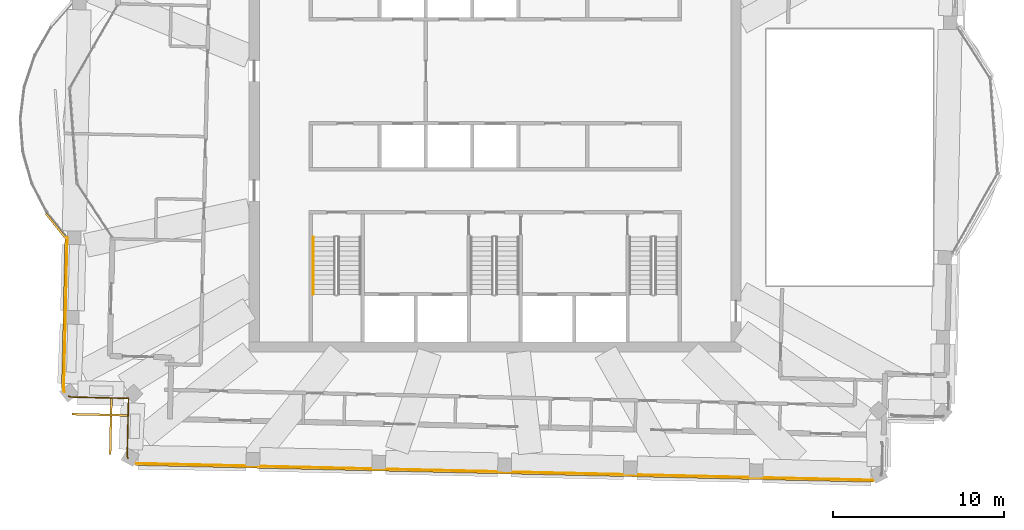
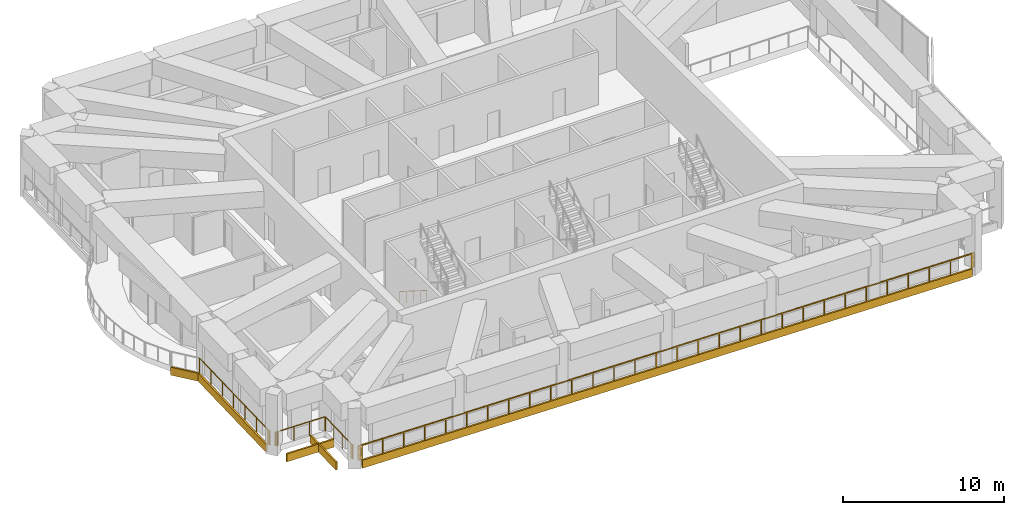
# One storey, part 14 of 19: 5 coverings, 4 railings.
"""IFC4 building model written with IfcOpenShell, lengths in metres."""

from ifc_helpers import new_model, si_unit, direction, frame, frame_2d, origin, origin_2d, place, context, subcontext, project, spatial, rectangle, circle, extrude, material, layer, layer_set, type_object, element, save


model = new_model("IFC4")

# Units and contexts
model_context = context("Model", 3, precision=1e-05, world=origin(), true_north=direction((0.0, 1.0)))
body_context = subcontext(model_context, "Body", "Model", "MODEL_VIEW")
ifc_project = project(units=[si_unit("LENGTHUNIT", "METRE"), si_unit("AREAUNIT", "SQUARE_METRE"), si_unit("VOLUMEUNIT", "CUBIC_METRE"), si_unit("PLANEANGLEUNIT", "RADIAN"), si_unit("MASSUNIT", "GRAM", prefix="KILO")], contexts=[model_context])

# Site, building, storey
site_placement = place(None, origin())
site = spatial("IfcSite", under=ifc_project, at=site_placement, CompositionType="ELEMENT")
building_placement = place(site_placement, origin())
building = spatial("IfcBuilding", under=site, at=building_placement, Name="Mangrove Gate Tower", CompositionType="ELEMENT")
storey_placement = place(building_placement, frame((0.0, 0.0, 346.10009765625)))
storey = spatial("IfcBuildingStorey", under=building, at=storey_placement, Name="L88", CompositionType="ELEMENT", Elevation=346.10009765625)

# Railings
ifc_material_1 = material(Name="Stainless steel grade 316 with laminated glass infill", Category="steel")
railing_type_1 = type_object("IfcRailingType", Name="Balcony guard 1100", PredefinedType="GUARDRAIL", material=ifc_material_1)
railing_1_placement = place(storey_placement, frame((22.35791015625, -18.84912109375, 0.0)))
element("IfcRailing", 1, at=railing_1_placement, inside=storey, type_object=railing_type_1, Name="GUARD L88 T3.6", PredefinedType="GUARDRAIL", context=body_context, shape_type="SweptSolid", body=[
    extrude(rectangle(XDim=0.048095703125, YDim=0.048095703125, at=origin_2d()), frame((0.0, 0.0, 1.076171875), z_axis=(-0.920487144923, -0.390772844543, 0.0), x_axis=(0.390772844543, -0.920487144923, 0.0)), (0.0, 0.0, 1.0), 0.028076171875),
    extrude(rectangle(XDim=0.048095703125, YDim=0.048095703125, at=origin_2d()), frame((-0.02587890625, -0.010986328125, 1.076171875), z_axis=(-0.945638521576, -0.325219597367, 0.0), x_axis=(0.325219597367, -0.945638521576, 0.0)), (0.0, 0.0, 1.0), 0.048828125),
    extrude(rectangle(XDim=0.048095703125, YDim=0.048095703125, at=origin_2d()), frame((-0.072021484375, -0.02685546875, 1.076171875), z_axis=(-0.978813906772, -0.204751888661, 0.0), x_axis=(0.204751888661, -0.978813906772, 0.0)), (0.0, 0.0, 1.0), 0.048828125),
    extrude(rectangle(XDim=0.048095703125, YDim=0.048095703125, at=origin_2d()), frame((-0.119873046875, -0.036865234375, 1.076171875), z_axis=(-0.989751568037, -0.142799977478, 0.0), x_axis=(0.142799977478, -0.989751568037, 0.0)), (0.0, 0.0, 1.0), 0.049560546875),
    extrude(rectangle(XDim=0.048095703125, YDim=0.048095703125, at=origin_2d()), frame((-0.1689453125, -0.0439453125, 1.076171875), z_axis=(-0.999802043895, -0.019896558087, 0.0), x_axis=(0.019896558087, -0.999802043895, 0.0)), (0.0, 0.0, 1.0), 0.049072265625),
    extrude(rectangle(XDim=0.048095703125, YDim=0.048095703125, at=origin_2d()), frame((-0.218017578125, -0.044921875, 1.076171875), z_axis=(-0.999742669305, 0.02268469025, 0.0), x_axis=(-0.02268469025, -0.999742669305, 0.0)), (0.0, 0.0, 1.0), 43.2001953125),
    extrude(rectangle(XDim=0.048095703125, YDim=0.048095703125, at=origin_2d()), frame((-43.406982421875, 0.93505859375, 1.076171875), z_axis=(-0.996406958115, 0.08469459144, 0.0), x_axis=(-0.08469459144, -0.996406958115, 0.0)), (0.0, 0.0, 1.0), 0.049072265625),
    extrude(rectangle(XDim=0.048095703125, YDim=0.048095703125, at=origin_2d()), frame((-43.455810546875, 0.939208984375, 1.076171875), z_axis=(-0.98706264842, 0.160335049489, 0.0), x_axis=(-0.160335049489, -0.98706264842, 0.0)), (0.0, 0.0, 1.0), 0.048828125),
    extrude(rectangle(XDim=0.048095703125, YDim=0.048095703125, at=origin_2d()), frame((-43.50390625, 0.947021484375, 1.076171875), z_axis=(-0.963015823939, 0.269444841931, 0.0), x_axis=(-0.269444841931, -0.963015823939, 0.0)), (0.0, 0.0, 1.0), 0.048828125),
    extrude(rectangle(XDim=0.048095703125, YDim=0.048095703125, at=origin_2d()), frame((-43.551025390625, 0.960205078125, 1.076171875), z_axis=(-0.932190657129, 0.361967648779, 0.0), x_axis=(-0.361967648779, -0.932190657129, 0.0)), (0.0, 0.0, 1.0), 0.04931640625),
    extrude(rectangle(XDim=0.048095703125, YDim=0.048095703125, at=origin_2d()), frame((-43.596923828125, 0.97802734375, 1.076171875), z_axis=(-0.897920722727, 0.440157217023, 0.0), x_axis=(-0.440157217023, -0.897920722727, 0.0)), (0.0, 0.0, 1.0), 0.02783203125),
    extrude(rectangle(XDim=0.0419921875, YDim=0.0419921875, at=origin_2d()), origin(), (0.0, 0.0, 1.0), 1.052001953125),
    extrude(rectangle(XDim=0.0419921875, YDim=0.0419921875, at=origin_2d()), frame((-0.02587890625, -0.010986328125, 0.0)), (0.0, 0.0, 1.0), 1.052001953125),
    extrude(rectangle(XDim=0.0419921875, YDim=0.0419921875, at=origin_2d()), frame((-0.072021484375, -0.02685546875, 0.0)), (0.0, 0.0, 1.0), 1.052001953125),
    extrude(rectangle(XDim=0.0419921875, YDim=0.0419921875, at=origin_2d()), frame((-0.119873046875, -0.036865234375, 0.0)), (0.0, 0.0, 1.0), 1.052001953125),
    extrude(rectangle(XDim=0.0419921875, YDim=0.0419921875, at=origin_2d()), frame((-0.1689453125, -0.0439453125, 0.0)), (0.0, 0.0, 1.0), 1.052001953125),
    extrude(rectangle(XDim=0.0419921875, YDim=0.0419921875, at=origin_2d()), frame((-0.218017578125, -0.044921875, 0.0)), (0.0, 0.0, 1.0), 1.052001953125),
    extrude(rectangle(XDim=0.0419921875, YDim=0.0419921875, at=origin_2d()), frame((-1.707275390625, -0.01123046875, 0.0)), (0.0, 0.0, 1.0), 1.052001953125),
    extrude(rectangle(XDim=0.0419921875, YDim=0.0419921875, at=origin_2d()), frame((-3.196533203125, 0.022705078125, 0.0)), (0.0, 0.0, 1.0), 1.052001953125),
    extrude(rectangle(XDim=0.0419921875, YDim=0.0419921875, at=origin_2d()), frame((-4.685791015625, 0.056396484375, 0.0)), (0.0, 0.0, 1.0), 1.052001953125),
    extrude(rectangle(XDim=0.0419921875, YDim=0.0419921875, at=origin_2d()), frame((-6.175048828125, 0.09033203125, 0.0)), (0.0, 0.0, 1.0), 1.052001953125),
    extrude(rectangle(XDim=0.0419921875, YDim=0.0419921875, at=origin_2d()), frame((-7.664306640625, 0.1240234375, 0.0)), (0.0, 0.0, 1.0), 1.052001953125),
    extrude(rectangle(XDim=0.0419921875, YDim=0.0419921875, at=origin_2d()), frame((-9.153564453125, 0.15771484375, 0.0)), (0.0, 0.0, 1.0), 1.052001953125),
    extrude(rectangle(XDim=0.0419921875, YDim=0.0419921875, at=origin_2d()), frame((-10.642822265625, 0.191650390625, 0.0)), (0.0, 0.0, 1.0), 1.052001953125),
    extrude(rectangle(XDim=0.0419921875, YDim=0.0419921875, at=origin_2d()), frame((-12.13232421875, 0.225341796875, 0.0)), (0.0, 0.0, 1.0), 1.052001953125),
    extrude(rectangle(XDim=0.0419921875, YDim=0.0419921875, at=origin_2d()), frame((-13.62158203125, 0.25927734375, 0.0)), (0.0, 0.0, 1.0), 1.052001953125),
    extrude(rectangle(XDim=0.0419921875, YDim=0.0419921875, at=origin_2d()), frame((-15.11083984375, 0.29296875, 0.0)), (0.0, 0.0, 1.0), 1.052001953125),
    extrude(rectangle(XDim=0.0419921875, YDim=0.0419921875, at=origin_2d()), frame((-16.60009765625, 0.326904296875, 0.0)), (0.0, 0.0, 1.0), 1.052001953125),
    extrude(rectangle(XDim=0.0419921875, YDim=0.0419921875, at=origin_2d()), frame((-18.08935546875, 0.360595703125, 0.0)), (0.0, 0.0, 1.0), 1.052001953125),
    extrude(rectangle(XDim=0.0419921875, YDim=0.0419921875, at=origin_2d()), frame((-19.57861328125, 0.394287109375, 0.0)), (0.0, 0.0, 1.0), 1.052001953125),
    extrude(rectangle(XDim=0.0419921875, YDim=0.0419921875, at=origin_2d()), frame((-21.06787109375, 0.42822265625, 0.0)), (0.0, 0.0, 1.0), 1.052001953125),
    extrude(rectangle(XDim=0.0419921875, YDim=0.0419921875, at=origin_2d()), frame((-22.55712890625, 0.4619140625, 0.0)), (0.0, 0.0, 1.0), 1.052001953125),
    extrude(rectangle(XDim=0.0419921875, YDim=0.0419921875, at=origin_2d()), frame((-24.04638671875, 0.495849609375, 0.0)), (0.0, 0.0, 1.0), 1.052001953125),
    extrude(rectangle(XDim=0.0419921875, YDim=0.0419921875, at=origin_2d()), frame((-25.53564453125, 0.529541015625, 0.0)), (0.0, 0.0, 1.0), 1.052001953125),
    extrude(rectangle(XDim=0.0419921875, YDim=0.0419921875, at=origin_2d()), frame((-27.02490234375, 0.563232421875, 0.0)), (0.0, 0.0, 1.0), 1.052001953125),
    extrude(rectangle(XDim=0.0419921875, YDim=0.0419921875, at=origin_2d()), frame((-28.51416015625, 0.59716796875, 0.0)), (0.0, 0.0, 1.0), 1.052001953125),
    extrude(rectangle(XDim=0.0419921875, YDim=0.0419921875, at=origin_2d()), frame((-30.00341796875, 0.630859375, 0.0)), (0.0, 0.0, 1.0), 1.052001953125),
    extrude(rectangle(XDim=0.0419921875, YDim=0.0419921875, at=origin_2d()), frame((-31.49267578125, 0.664794921875, 0.0)), (0.0, 0.0, 1.0), 1.052001953125),
    extrude(rectangle(XDim=0.0419921875, YDim=0.0419921875, at=origin_2d()), frame((-32.982177734375, 0.698486328125, 0.0)), (0.0, 0.0, 1.0), 1.052001953125),
    extrude(rectangle(XDim=0.0419921875, YDim=0.0419921875, at=origin_2d()), frame((-34.471435546875, 0.732421875, 0.0)), (0.0, 0.0, 1.0), 1.052001953125),
    extrude(rectangle(XDim=0.0419921875, YDim=0.0419921875, at=origin_2d()), frame((-35.960693359375, 0.76611328125, 0.0)), (0.0, 0.0, 1.0), 1.052001953125),
    extrude(rectangle(XDim=0.0419921875, YDim=0.0419921875, at=origin_2d()), frame((-37.449951171875, 0.7998046875, 0.0)), (0.0, 0.0, 1.0), 1.052001953125),
    extrude(rectangle(XDim=0.0419921875, YDim=0.0419921875, at=origin_2d()), frame((-38.939208984375, 0.833740234375, 0.0)), (0.0, 0.0, 1.0), 1.052001953125),
    extrude(rectangle(XDim=0.0419921875, YDim=0.0419921875, at=origin_2d()), frame((-40.428466796875, 0.867431640625, 0.0)), (0.0, 0.0, 1.0), 1.052001953125),
    extrude(rectangle(XDim=0.0419921875, YDim=0.0419921875, at=origin_2d()), frame((-41.917724609375, 0.9013671875, 0.0)), (0.0, 0.0, 1.0), 1.052001953125),
    extrude(rectangle(XDim=0.0419921875, YDim=0.0419921875, at=origin_2d()), frame((-43.406982421875, 0.93505859375, 0.0)), (0.0, 0.0, 1.0), 1.052001953125),
    extrude(rectangle(XDim=0.0419921875, YDim=0.0419921875, at=origin_2d()), frame((-43.455810546875, 0.939208984375, 0.0)), (0.0, 0.0, 1.0), 1.052001953125),
    extrude(rectangle(XDim=0.0419921875, YDim=0.0419921875, at=origin_2d()), frame((-43.50390625, 0.947021484375, 0.0)), (0.0, 0.0, 1.0), 1.052001953125),
    extrude(rectangle(XDim=0.0419921875, YDim=0.0419921875, at=origin_2d()), frame((-43.551025390625, 0.960205078125, 0.0)), (0.0, 0.0, 1.0), 1.052001953125),
    extrude(rectangle(XDim=0.0419921875, YDim=0.0419921875, at=origin_2d()), frame((-43.596923828125, 0.97802734375, 0.0)), (0.0, 0.0, 1.0), 1.052001953125),
    extrude(rectangle(XDim=0.0419921875, YDim=0.0419921875, at=origin_2d()), frame((-43.621826171875, 0.990234375, 0.0)), (0.0, 0.0, 1.0), 1.052001953125),
])
railing_2_placement = place(storey_placement, frame((-21.491943359375, -17.6201171875, 0.0)))
element("IfcRailing", 2, at=railing_2_placement, inside=storey, type_object=railing_type_1, Name="GUARD L88 T3.7", PredefinedType="GUARDRAIL", context=body_context, shape_type="SweptSolid", body=[
    extrude(rectangle(XDim=0.048095703125, YDim=0.048095703125, at=origin_2d()), frame((0.0, 0.0, 1.076171875), z_axis=(-0.429593233056, 0.903022510302, 0.0), x_axis=(-0.903022510302, -0.429593233056, 0.0)), (0.0, 0.0, 1.0), 0.02783203125),
    extrude(rectangle(XDim=0.048095703125, YDim=0.048095703125, at=origin_2d()), frame((-0.011962890625, 0.025146484375, 1.076171875), z_axis=(-0.307292390957, 0.951615146191, 0.0), x_axis=(-0.951615146191, -0.307292390957, 0.0)), (0.0, 0.0, 1.0), 0.04931640625),
    extrude(rectangle(XDim=0.048095703125, YDim=0.048095703125, at=origin_2d()), frame((-0.027099609375, 0.072021484375, 1.076171875), z_axis=(-0.222690428814, 0.974889210585, 0.0), x_axis=(-0.974889210585, -0.222690428814, 0.0)), (0.0, 0.0, 1.0), 0.04931640625),
    extrude(rectangle(XDim=0.048095703125, YDim=0.048095703125, at=origin_2d()), frame((-0.0380859375, 0.1201171875, 1.076171875), z_axis=(-0.120933275731, 0.992660638295, 0.0), x_axis=(-0.992660638295, -0.120933275731, 0.0)), (0.0, 0.0, 1.0), 0.04833984375),
    extrude(rectangle(XDim=0.048095703125, YDim=0.048095703125, at=origin_2d()), frame((-0.0439453125, 0.168212890625, 1.076171875), z_axis=(-0.02499219116, 0.999687646408, 0.0), x_axis=(-0.999687646408, -0.02499219116, 0.0)), (0.0, 0.0, 1.0), 0.048828125),
    extrude(rectangle(XDim=0.048095703125, YDim=0.048095703125, at=origin_2d()), frame((-0.045166015625, 0.217041015625, 1.076171875), z_axis=(0.022572975354, 0.99974519793, 0.0), x_axis=(-0.99974519793, 0.022572975354, 0.0)), (0.0, 0.0, 1.0), 3.287841796875),
    extrude(rectangle(XDim=0.048095703125, YDim=0.048095703125, at=origin_2d()), frame((0.029052734375, 3.504150390625, 1.076171875), z_axis=(0.0, 1.0, 0.0), x_axis=(-1.0, 0.0, 0.0)), (0.0, 0.0, 1.0), 0.011962890625),
    extrude(rectangle(XDim=0.048095703125, YDim=0.048095703125, at=origin_2d()), frame((0.029052734375, 3.51611328125, 1.076171875), z_axis=(-0.996815278536, 0.079745222283, 0.0), x_axis=(-0.079745222283, -0.996815278536, 0.0)), (0.0, 0.0, 1.0), 0.01220703125),
    extrude(rectangle(XDim=0.048095703125, YDim=0.048095703125, at=origin_2d()), frame((0.016845703125, 3.51708984375, 1.076171875), z_axis=(-0.999746833276, 0.022500430103, 0.0), x_axis=(-0.022500430103, -0.999746833276, 0.0)), (0.0, 0.0, 1.0), 3.28759765625),
    extrude(rectangle(XDim=0.048095703125, YDim=0.048095703125, at=origin_2d()), frame((-3.27001953125, 3.591064453125, 1.076171875), z_axis=(-0.996442430759, 0.084276225487, 0.0), x_axis=(-0.084276225487, -0.996442430759, 0.0)), (0.0, 0.0, 1.0), 0.04931640625),
    extrude(rectangle(XDim=0.048095703125, YDim=0.048095703125, at=origin_2d()), frame((-3.319091796875, 3.59521484375, 1.076171875), z_axis=(-0.986932880776, 0.161131898902, 0.0), x_axis=(-0.161131898902, -0.986932880776, 0.0)), (0.0, 0.0, 1.0), 0.048583984375),
    extrude(rectangle(XDim=0.048095703125, YDim=0.048095703125, at=origin_2d()), frame((-3.366943359375, 3.60302734375, 1.076171875), z_axis=(-0.963015823939, 0.269444841931, 0.0), x_axis=(-0.269444841931, -0.963015823939, 0.0)), (0.0, 0.0, 1.0), 0.048828125),
    extrude(rectangle(XDim=0.048095703125, YDim=0.048095703125, at=origin_2d()), frame((-3.4140625, 3.6162109375, 1.076171875), z_axis=(-0.932190657129, 0.361967648779, 0.0), x_axis=(-0.361967648779, -0.932190657129, 0.0)), (0.0, 0.0, 1.0), 0.04931640625),
    extrude(rectangle(XDim=0.048095703125, YDim=0.048095703125, at=origin_2d()), frame((-3.4599609375, 3.634033203125, 1.076171875), z_axis=(-0.903022510302, 0.429593233056, 0.0), x_axis=(-0.429593233056, -0.903022510302, 0.0)), (0.0, 0.0, 1.0), 0.02783203125),
    extrude(rectangle(XDim=0.0419921875, YDim=0.0419921875, at=origin_2d()), origin(), (0.0, 0.0, 1.0), 1.052001953125),
    extrude(rectangle(XDim=0.0419921875, YDim=0.0419921875, at=origin_2d()), frame((-0.011962890625, 0.025146484375, 0.0)), (0.0, 0.0, 1.0), 1.052001953125),
    extrude(rectangle(XDim=0.0419921875, YDim=0.0419921875, at=origin_2d()), frame((-0.027099609375, 0.072021484375, 0.0)), (0.0, 0.0, 1.0), 1.052001953125),
    extrude(rectangle(XDim=0.0419921875, YDim=0.0419921875, at=origin_2d()), frame((-0.0380859375, 0.1201171875, 0.0)), (0.0, 0.0, 1.0), 1.052001953125),
    extrude(rectangle(XDim=0.0419921875, YDim=0.0419921875, at=origin_2d()), frame((-0.0439453125, 0.168212890625, 0.0)), (0.0, 0.0, 1.0), 1.052001953125),
    extrude(rectangle(XDim=0.0419921875, YDim=0.0419921875, at=origin_2d()), frame((-0.045166015625, 0.217041015625, 0.0)), (0.0, 0.0, 1.0), 1.052001953125),
    extrude(rectangle(XDim=0.0419921875, YDim=0.0419921875, at=origin_2d()), frame((-0.0205078125, 1.312744140625, 0.0)), (0.0, 0.0, 1.0), 1.052001953125),
    extrude(rectangle(XDim=0.0419921875, YDim=0.0419921875, at=origin_2d()), frame((0.00439453125, 2.408447265625, 0.0)), (0.0, 0.0, 1.0), 1.052001953125),
    extrude(rectangle(XDim=0.0419921875, YDim=0.0419921875, at=origin_2d()), frame((0.029052734375, 3.504150390625, 0.0)), (0.0, 0.0, 1.0), 1.052001953125),
    extrude(rectangle(XDim=0.0419921875, YDim=0.0419921875, at=origin_2d()), frame((0.029052734375, 3.51611328125, 0.0)), (0.0, 0.0, 1.0), 1.052001953125),
    extrude(rectangle(XDim=0.0419921875, YDim=0.0419921875, at=origin_2d()), frame((0.016845703125, 3.51708984375, 0.0)), (0.0, 0.0, 1.0), 1.052001953125),
    extrude(rectangle(XDim=0.0419921875, YDim=0.0419921875, at=origin_2d()), frame((-1.078857421875, 3.541748046875, 0.0)), (0.0, 0.0, 1.0), 1.052001953125),
    extrude(rectangle(XDim=0.0419921875, YDim=0.0419921875, at=origin_2d()), frame((-2.17431640625, 3.56640625, 0.0)), (0.0, 0.0, 1.0), 1.052001953125),
    extrude(rectangle(XDim=0.0419921875, YDim=0.0419921875, at=origin_2d()), frame((-3.27001953125, 3.591064453125, 0.0)), (0.0, 0.0, 1.0), 1.052001953125),
    extrude(rectangle(XDim=0.0419921875, YDim=0.0419921875, at=origin_2d()), frame((-3.319091796875, 3.59521484375, 0.0)), (0.0, 0.0, 1.0), 1.052001953125),
    extrude(rectangle(XDim=0.0419921875, YDim=0.0419921875, at=origin_2d()), frame((-3.366943359375, 3.60302734375, 0.0)), (0.0, 0.0, 1.0), 1.052001953125),
    extrude(rectangle(XDim=0.0419921875, YDim=0.0419921875, at=origin_2d()), frame((-3.4140625, 3.6162109375, 0.0)), (0.0, 0.0, 1.0), 1.052001953125),
    extrude(rectangle(XDim=0.0419921875, YDim=0.0419921875, at=origin_2d()), frame((-3.4599609375, 3.634033203125, 0.0)), (0.0, 0.0, 1.0), 1.052001953125),
    extrude(rectangle(XDim=0.0419921875, YDim=0.0419921875, at=origin_2d()), frame((-3.485107421875, 3.64599609375, 0.0)), (0.0, 0.0, 1.0), 1.052001953125),
])
railing_3_placement = place(storey_placement, frame((-25.205078125, -13.735107421875, 0.0)))
element("IfcRailing", 3, at=railing_3_placement, inside=storey, type_object=railing_type_1, Name="GUARD L88 T3.8", PredefinedType="GUARDRAIL", context=body_context, shape_type="SweptSolid", body=[
    extrude(rectangle(XDim=0.048095703125, YDim=0.048095703125, at=origin_2d()), frame((0.0, 0.0, 1.076171875), z_axis=(-0.400352069216, 0.916361402872, 0.0), x_axis=(-0.916361402872, -0.400352069216, 0.0)), (0.0, 0.0, 1.0), 0.02734375),
    extrude(rectangle(XDim=0.048095703125, YDim=0.048095703125, at=origin_2d()), frame((-0.010986328125, 0.025146484375, 1.076171875), z_axis=(-0.320664269532, 0.947192919233, 0.0), x_axis=(-0.947192919233, -0.320664269532, 0.0)), (0.0, 0.0, 1.0), 0.049560546875),
    extrude(rectangle(XDim=0.048095703125, YDim=0.048095703125, at=origin_2d()), frame((-0.02685546875, 0.072021484375, 1.076171875), z_axis=(-0.222690428814, 0.974889210585, 0.0), x_axis=(-0.974889210585, -0.222690428814, 0.0)), (0.0, 0.0, 1.0), 0.04931640625),
    extrude(rectangle(XDim=0.048095703125, YDim=0.048095703125, at=origin_2d()), frame((-0.037841796875, 0.1201171875, 1.076171875), z_axis=(-0.123427070371, 0.992353645783, 0.0), x_axis=(-0.992353645783, -0.123427070371, 0.0)), (0.0, 0.0, 1.0), 0.049560546875),
    extrude(rectangle(XDim=0.048095703125, YDim=0.048095703125, at=origin_2d()), frame((-0.0439453125, 0.169189453125, 1.076171875), z_axis=(-0.0199960012, 0.99980005998, 0.0), x_axis=(-0.99980005998, -0.0199960012, 0.0)), (0.0, 0.0, 1.0), 0.048828125),
    extrude(rectangle(XDim=0.048095703125, YDim=0.048095703125, at=origin_2d()), frame((-0.044921875, 0.218017578125, 1.076171875), z_axis=(0.022689939273, 0.999742550188, 0.0), x_axis=(-0.999742550188, 0.022689939273, 0.0)), (0.0, 0.0, 1.0), 8.812255859375),
    extrude(rectangle(XDim=0.048095703125, YDim=0.048095703125, at=origin_2d()), frame((0.155029296875, 9.028076171875, 1.076171875), z_axis=(-0.081362009455, 0.996684615823, 0.0), x_axis=(-0.996684615823, -0.081362009455, 0.0)), (0.0, 0.0, 1.0), 0.011962890625),
    extrude(rectangle(XDim=0.048095703125, YDim=0.048095703125, at=origin_2d()), frame((0.154052734375, 9.0400390625, 1.076171875), z_axis=(-0.577464720627, 0.816415639507, 0.0), x_axis=(-0.816415639507, -0.577464720627, 0.0)), (0.0, 0.0, 1.0), 0.01220703125),
    extrude(rectangle(XDim=0.0419921875, YDim=0.0419921875, at=origin_2d()), origin(), (0.0, 0.0, 1.0), 1.052001953125),
    extrude(rectangle(XDim=0.0419921875, YDim=0.0419921875, at=origin_2d()), frame((-0.010986328125, 0.025146484375, 0.0)), (0.0, 0.0, 1.0), 1.052001953125),
    extrude(rectangle(XDim=0.0419921875, YDim=0.0419921875, at=origin_2d()), frame((-0.02685546875, 0.072021484375, 0.0)), (0.0, 0.0, 1.0), 1.052001953125),
    extrude(rectangle(XDim=0.0419921875, YDim=0.0419921875, at=origin_2d()), frame((-0.037841796875, 0.1201171875, 0.0)), (0.0, 0.0, 1.0), 1.052001953125),
    extrude(rectangle(XDim=0.0419921875, YDim=0.0419921875, at=origin_2d()), frame((-0.0439453125, 0.169189453125, 0.0)), (0.0, 0.0, 1.0), 1.052001953125),
    extrude(rectangle(XDim=0.0419921875, YDim=0.0419921875, at=origin_2d()), frame((-0.044921875, 0.218017578125, 0.0)), (0.0, 0.0, 1.0), 1.052001953125),
    extrude(rectangle(XDim=0.0419921875, YDim=0.0419921875, at=origin_2d()), frame((-0.01171875, 1.686279296875, 0.0)), (0.0, 0.0, 1.0), 1.052001953125),
    extrude(rectangle(XDim=0.0419921875, YDim=0.0419921875, at=origin_2d()), frame((0.021728515625, 3.15478515625, 0.0)), (0.0, 0.0, 1.0), 1.052001953125),
    extrude(rectangle(XDim=0.0419921875, YDim=0.0419921875, at=origin_2d()), frame((0.05517578125, 4.623046875, 0.0)), (0.0, 0.0, 1.0), 1.052001953125),
    extrude(rectangle(XDim=0.0419921875, YDim=0.0419921875, at=origin_2d()), frame((0.08837890625, 6.09130859375, 0.0)), (0.0, 0.0, 1.0), 1.052001953125),
    extrude(rectangle(XDim=0.0419921875, YDim=0.0419921875, at=origin_2d()), frame((0.12158203125, 7.559814453125, 0.0)), (0.0, 0.0, 1.0), 1.052001953125),
    extrude(rectangle(XDim=0.0419921875, YDim=0.0419921875, at=origin_2d()), frame((0.155029296875, 9.028076171875, 0.0)), (0.0, 0.0, 1.0), 1.052001953125),
    extrude(rectangle(XDim=0.0419921875, YDim=0.0419921875, at=origin_2d()), frame((0.154052734375, 9.0400390625, 0.0)), (0.0, 0.0, 1.0), 1.052001953125),
    extrude(rectangle(XDim=0.0419921875, YDim=0.0419921875, at=origin_2d()), frame((0.14697265625, 9.050048828125, 0.0)), (0.0, 0.0, 1.0), 1.052001953125),
])
ifc_material_2 = material(Name="Stainless steel 316", Category="steel")
railing_type_2 = type_object("IfcRailingType", Name="Core stair handrail 900", PredefinedType="HANDRAIL", material=ifc_material_2)
railing_4_placement = place(storey_placement, frame((-10.64990234375, -4.64990234375, 0.1767578125)))
element("IfcRailing", 4, at=railing_4_placement, inside=storey, type_object=railing_type_2, Name="L88 ST1 stair handrail 1", PredefinedType="HANDRAIL", context=body_context, shape_type="SweptSolid", body=[
    extrude(circle(Radius=0.02392578125, at=origin_2d()), frame((0.0, 0.0, 0.8759765625), z_axis=(0.0, -0.845389635667, 0.534150132366), x_axis=(1.0, 0.0, 0.0)), (0.0, 0.0, 1.0), 3.974609375),
    extrude(circle(Radius=0.02099609375, at=origin_2d()), origin(), (0.0, 0.0, 1.0), 0.851806640625),
    extrude(circle(Radius=0.02099609375, at=origin_2d()), frame((0.0, -0.840087890625, 0.53076171875)), (0.0, 0.0, 1.0), 0.851806640625),
    extrude(circle(Radius=0.02099609375, at=origin_2d()), frame((0.0, -1.68017578125, 1.0615234375)), (0.0, 0.0, 1.0), 0.851806640625),
    extrude(circle(Radius=0.02099609375, at=origin_2d()), frame((0.0, -2.52001953125, 1.59228515625)), (0.0, 0.0, 1.0), 0.851806640625),
    extrude(circle(Radius=0.02099609375, at=origin_2d()), frame((0.0, -3.360107421875, 2.123046875)), (0.0, 0.0, 1.0), 0.851806640625),
])

# Coverings
ifc_material_3 = material(Name="Limestone", Category="masonry")
ifc_layer_1 = layer(ifc_material_3, 0.0400390625, Name="Limestone cladding")
ifc_material_4 = material(Name="Stainless steel anchors and cavity", Category="steel")
ifc_layer_2 = layer(ifc_material_4, 0.080078125, Name="Fixing cavity")
ifc_layer_set = layer_set([ifc_layer_1, ifc_layer_2], Name="Joint fascia cladding 120")
covering_type = type_object("IfcCoveringType", Name="Joint fascia cladding 120", PredefinedType="CLADDING", material=ifc_layer_set)
covering_1_placement = place(storey_placement, frame((-25.096923828125, -4.781005859375, -0.60009765625), z_axis=(0.0, 0.0, 1.0), x_axis=(-0.625227661589, 0.780442420159, 0.0)))
element("IfcCovering", 5, at=covering_1_placement, inside=storey, type_object=covering_type, Name="STONE FASCIA L88 Tcrown13-1.1", PredefinedType="CLADDING", context=body_context, shape_type="SweptSolid", body=[
    extrude(rectangle(XDim=1.900146484375, YDim=0.1201171875, at=frame_2d((0.9501953125, 0.0))), origin(), (0.0, 0.0, 1.0), 0.60009765625),
])
covering_2_placement = place(storey_placement, frame((22.138916015625, -18.955078125, -0.60009765625), z_axis=(0.0, 0.0, 1.0), x_axis=(-0.999742669305, 0.02268469025, 0.0)))
element("IfcCovering", 6, at=covering_2_placement, inside=storey, type_object=covering_type, Name="STONE FASCIA L88 Tcrown13-6.1", PredefinedType="CLADDING", context=body_context, shape_type="SweptSolid", body=[
    extrude(rectangle(XDim=43.2001953125, YDim=0.1201171875, at=frame_2d((21.60009765625, 0.0))), origin(), (0.0, 0.0, 1.0), 0.60009765625),
])
for number, where, z_axis, x_axis, name in (
    (7, (-22.537109375, -17.3798828125, -0.60009765625), (0.0, 0.0, 1.0), (0.022821096301, 0.999739564869, 0.0), "STONE FASCIA L88 Tcrown13-7.1"),
    (8, (-21.447021484375, -15.10400390625, -0.60009765625), (0.0, 0.0, 1.0), (-0.999741231002, 0.022747989672, 0.0), "STONE FASCIA L88 Tcrown13-7.2"),
):
    element("IfcCovering", number, at=place(storey_placement, frame(where, z_axis=z_axis, x_axis=x_axis)), inside=storey, type_object=covering_type, Name=name, PredefinedType="CLADDING", context=body_context, shape_type="SweptSolid", body=[
        extrude(rectangle(XDim=3.337890625, YDim=0.1201171875, at=frame_2d((1.6689453125, 0.0))), origin(), (0.0, 0.0, 1.0), 0.60009765625),
    ])
covering_3_placement = place(storey_placement, frame((-25.3291015625, -13.51611328125, -0.60009765625), z_axis=(0.0, 0.0, 1.0), x_axis=(0.022717629427, 0.999741921354, 0.0)))
element("IfcCovering", 9, at=covering_3_placement, inside=storey, type_object=covering_type, Name="STONE FASCIA L88 Tcrown13-8.1", PredefinedType="CLADDING", context=body_context, shape_type="SweptSolid", body=[
    extrude(rectangle(XDim=8.812255859375, YDim=0.1201171875, at=frame_2d((4.40625, 0.0))), origin(), (0.0, 0.0, 1.0), 0.60009765625),
])

save(model, "model.ifc")
